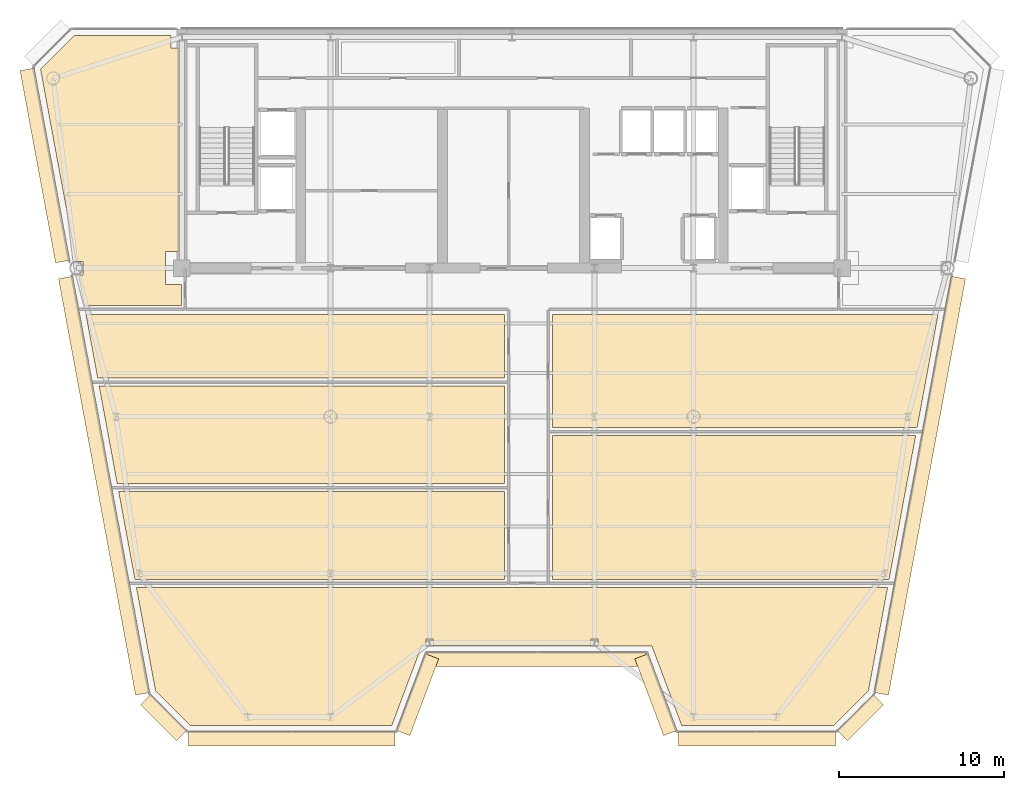
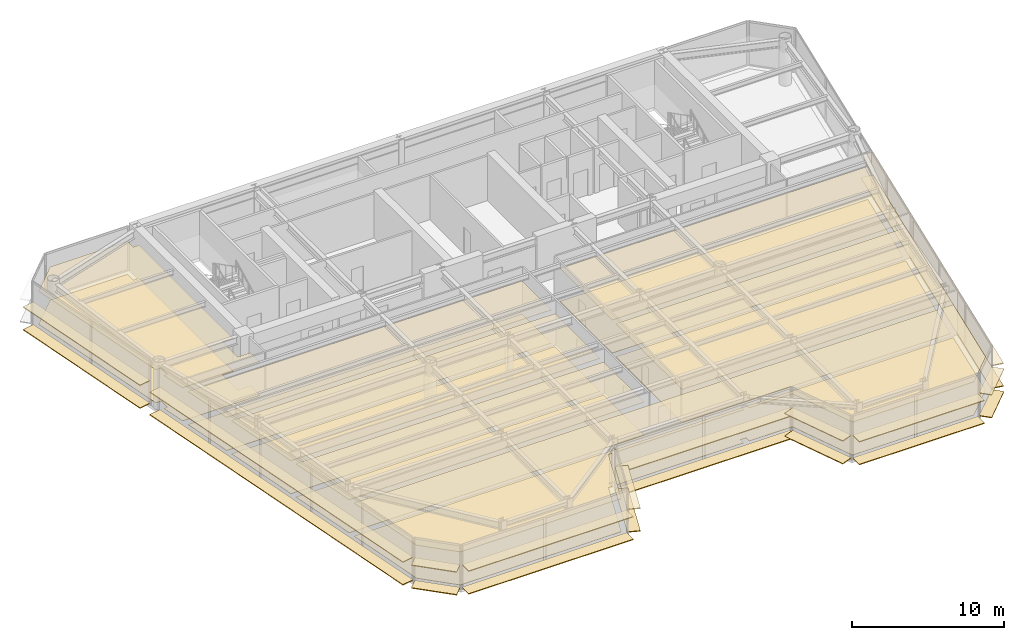
# One storey, part 13 of 16: 34 coverings.
"""IFC4 building model written with IfcOpenShell, lengths in metres."""

from ifc_helpers import new_model, si_unit, direction, frame, origin, origin_2d, place, context, subcontext, project, spatial, polyline, rectangle, outline, extrude, source, transform, mapped, material, layer, layer_set, type_object, element, save


model = new_model("IFC4")

# Units and contexts
model_context = context("Model", 3, precision=1e-05, world=origin(), true_north=direction((0.0, 1.0)))
body_context = subcontext(model_context, "Body", "Model", "MODEL_VIEW")
ifc_project = project(units=[si_unit("LENGTHUNIT", "METRE"), si_unit("AREAUNIT", "SQUARE_METRE"), si_unit("VOLUMEUNIT", "CUBIC_METRE"), si_unit("PLANEANGLEUNIT", "RADIAN"), si_unit("MASSUNIT", "GRAM", prefix="KILO")], contexts=[model_context])

# Site, building, storey
site_placement = place(None, origin())
site = spatial("IfcSite", under=ifc_project, at=site_placement, CompositionType="ELEMENT")
building_placement = place(site_placement, origin())
building = spatial("IfcBuilding", under=site, at=building_placement, Name="Vaeldorn Concourse Tower", CompositionType="ELEMENT")
storey_placement = place(building_placement, frame((0.0, 0.0, 223.199951171875)))
storey = spatial("IfcBuildingStorey", under=building, at=storey_placement, Name="L57", CompositionType="ELEMENT", Elevation=223.199951171875)

# Coverings
ifc_material_1 = material(Name="Acoustic Mineral Fibre Board", Category="gypsum")
ifc_layer_1 = layer(ifc_material_1, 0.0400390625)
ifc_layer_set_1 = layer_set([ifc_layer_1], Name="Acoustic Mineral Fibre Board")
covering_type_1 = type_object("IfcCoveringType", Name="COV-CEIL-ACOUSTIC", PredefinedType="CEILING", material=ifc_layer_set_1)
covering_1_placement = place(storey_placement, frame((0.0, 0.0, 2.650146484375)))
element("IfcCovering", 1, at=covering_1_placement, inside=storey, type_object=covering_type_1, Name="Suspended Acoustic Ceiling L57-3", PredefinedType="CEILING", context=body_context, shape_type="SweptSolid", body=[
    extrude(outline(polyline([(7.4658203125, 50.60009765625), (13.340087890625, 50.60009765625), (13.340087890625, 49.840087890625), (13.820068359375, 49.840087890625), (13.820068359375, 37.5), (13.0, 37.5), (13.0, 35.5), (13.9599609375, 35.5), (13.9599609375, 34.239990234375), (8.08154296875, 34.239990234375), (7.73876953125, 36.093505859375), (8.006591796875, 36.093505859375), (8.006591796875, 36.906494140625), (7.58837890625, 36.906494140625), (5.431640625, 48.56591796875), (7.4658203125, 50.60009765625)])), origin(), (0.0, 0.0, 1.0), 0.039794921875),
])
covering_2_placement = place(storey_placement, frame((0.0, 0.0, 2.650146484375)))
element("IfcCovering", 2, at=covering_2_placement, inside=storey, type_object=covering_type_1, Name="Suspended Acoustic Ceiling L57-5", PredefinedType="CEILING", context=body_context, shape_type="SweptSolid", body=[
    extrude(outline(polyline([(33.56005859375, 22.9599609375), (33.56005859375, 17.639892578125), (11.152099609375, 17.639892578125), (10.16796875, 22.9599609375), (33.56005859375, 22.9599609375)])), origin(), (0.0, 0.0, 1.0), 0.039794921875),
])
covering_3_placement = place(storey_placement, frame((0.0, 0.0, 2.650146484375)))
element("IfcCovering", 3, at=covering_3_placement, inside=storey, type_object=covering_type_1, Name="Suspended Acoustic Ceiling L57-6", PredefinedType="CEILING", context=body_context, shape_type="SweptSolid", body=[
    extrude(outline(polyline([(33.56005859375, 29.360107421875), (33.56005859375, 23.43994140625), (10.079345703125, 23.43994140625), (8.984130859375, 29.360107421875), (33.56005859375, 29.360107421875)])), origin(), (0.0, 0.0, 1.0), 0.039794921875),
])
covering_4_placement = place(storey_placement, frame((0.0, 0.0, 2.650146484375)))
element("IfcCovering", 4, at=covering_4_placement, inside=storey, type_object=covering_type_1, Name="Suspended Acoustic Ceiling L57-7", PredefinedType="CEILING", context=body_context, shape_type="SweptSolid", body=[
    extrude(outline(polyline([(33.56005859375, 33.699951171875), (33.56005859375, 29.840087890625), (8.8955078125, 29.840087890625), (8.181396484375, 33.699951171875), (33.56005859375, 33.699951171875)])), origin(), (0.0, 0.0, 1.0), 0.039794921875),
])
covering_5_placement = place(storey_placement, frame((0.0, 0.0, 2.650146484375)))
element("IfcCovering", 5, at=covering_5_placement, inside=storey, type_object=covering_type_1, Name="Suspended Acoustic Ceiling L57-8", PredefinedType="CEILING", context=body_context, shape_type="SweptSolid", body=[
    extrude(outline(polyline([(36.43994140625, 26.360107421875), (58.4609375, 26.360107421875), (56.973876953125, 18.321044921875), (56.847900390625, 17.639892578125), (36.43994140625, 17.639892578125), (36.43994140625, 26.360107421875)])), origin(), (0.0, 0.0, 1.0), 0.039794921875),
])
covering_6_placement = place(storey_placement, frame((0.0, 0.0, 2.650146484375)))
element("IfcCovering", 6, at=covering_6_placement, inside=storey, type_object=covering_type_1, Name="Suspended Acoustic Ceiling L57-9", PredefinedType="CEILING", context=body_context, shape_type="SweptSolid", body=[
    extrude(outline(polyline([(36.43994140625, 26.840087890625), (36.43994140625, 33.699951171875), (59.818603515625, 33.699951171875), (58.549560546875, 26.840087890625), (36.43994140625, 26.840087890625)])), origin(), (0.0, 0.0, 1.0), 0.039794921875),
])
covering_7_placement = place(storey_placement, frame((0.0, 0.0, 2.650146484375)))
element("IfcCovering", 7, at=covering_7_placement, inside=storey, type_object=covering_type_1, Name="Suspended Acoustic Ceiling L57-10", PredefinedType="CEILING", context=body_context, shape_type="SweptSolid", body=[
    extrude(outline(polyline([(56.75927734375, 17.159912109375), (55.600341796875, 10.89501953125), (53.50537109375, 8.800048828125), (44.277099609375, 8.800048828125), (42.477294921875, 13.60009765625), (39.2060546875, 13.60009765625), (39.2060546875, 14.017578125), (38.7939453125, 14.017578125), (38.7939453125, 13.60009765625), (29.2060546875, 13.60009765625), (29.2060546875, 14.017578125), (28.7939453125, 14.017578125), (28.7939453125, 13.60009765625), (28.522705078125, 13.60009765625), (26.722900390625, 8.800048828125), (14.49462890625, 8.800048828125), (12.399658203125, 10.89501953125), (11.24072265625, 17.159912109375), (56.75927734375, 17.159912109375)])), origin(), (0.0, 0.0, 1.0), 0.039794921875),
])
ifc_material_2 = material(Name="Honed Limestone Terrazzo Flooring", Category="masonry")
ifc_layer_2 = layer(ifc_material_2, 0.0400390625)
ifc_layer_set_2 = layer_set([ifc_layer_2], Name="Honed Limestone Terrazzo Flooring")
covering_type_2 = type_object("IfcCoveringType", Name="COV-FLOOR-STONE", PredefinedType="FLOORING", material=ifc_layer_set_2)
covering_8_placement = place(storey_placement, origin())
element("IfcCovering", 8, at=covering_8_placement, inside=storey, type_object=covering_type_2, Name="Floor Finish Covering L57-3", PredefinedType="FLOORING", context=body_context, shape_type="SweptSolid", body=[
    extrude(outline(polyline([(7.4658203125, 50.60009765625), (13.340087890625, 50.60009765625), (13.340087890625, 49.840087890625), (13.820068359375, 49.840087890625), (13.820068359375, 37.5), (13.0, 37.5), (13.0, 35.5), (13.9599609375, 35.5), (13.9599609375, 34.239990234375), (8.08154296875, 34.239990234375), (7.73876953125, 36.093505859375), (8.006591796875, 36.093505859375), (8.006591796875, 36.906494140625), (7.58837890625, 36.906494140625), (5.431640625, 48.56591796875), (7.4658203125, 50.60009765625)])), origin(), (0.0, 0.0, 1.0), 0.030029296875),
])
covering_9_placement = place(storey_placement, origin())
element("IfcCovering", 9, at=covering_9_placement, inside=storey, type_object=covering_type_2, Name="Floor Finish Covering L57-5", PredefinedType="FLOORING", context=body_context, shape_type="SweptSolid", body=[
    extrude(outline(polyline([(33.56005859375, 22.9599609375), (33.56005859375, 17.639892578125), (11.152099609375, 17.639892578125), (10.16796875, 22.9599609375), (33.56005859375, 22.9599609375)])), origin(), (0.0, 0.0, 1.0), 0.030029296875),
])
covering_10_placement = place(storey_placement, origin())
element("IfcCovering", 10, at=covering_10_placement, inside=storey, type_object=covering_type_2, Name="Floor Finish Covering L57-6", PredefinedType="FLOORING", context=body_context, shape_type="SweptSolid", body=[
    extrude(outline(polyline([(33.56005859375, 29.360107421875), (33.56005859375, 23.43994140625), (10.079345703125, 23.43994140625), (8.984130859375, 29.360107421875), (33.56005859375, 29.360107421875)])), origin(), (0.0, 0.0, 1.0), 0.030029296875),
])
covering_11_placement = place(storey_placement, origin())
element("IfcCovering", 11, at=covering_11_placement, inside=storey, type_object=covering_type_2, Name="Floor Finish Covering L57-7", PredefinedType="FLOORING", context=body_context, shape_type="SweptSolid", body=[
    extrude(outline(polyline([(33.56005859375, 33.699951171875), (33.56005859375, 29.840087890625), (8.8955078125, 29.840087890625), (8.181396484375, 33.699951171875), (33.56005859375, 33.699951171875)])), origin(), (0.0, 0.0, 1.0), 0.030029296875),
])
covering_12_placement = place(storey_placement, origin())
element("IfcCovering", 12, at=covering_12_placement, inside=storey, type_object=covering_type_2, Name="Floor Finish Covering L57-8", PredefinedType="FLOORING", context=body_context, shape_type="SweptSolid", body=[
    extrude(outline(polyline([(36.43994140625, 26.360107421875), (58.4609375, 26.360107421875), (56.973876953125, 18.321044921875), (56.847900390625, 17.639892578125), (36.43994140625, 17.639892578125), (36.43994140625, 26.360107421875)])), origin(), (0.0, 0.0, 1.0), 0.030029296875),
])
covering_13_placement = place(storey_placement, origin())
element("IfcCovering", 13, at=covering_13_placement, inside=storey, type_object=covering_type_2, Name="Floor Finish Covering L57-9", PredefinedType="FLOORING", context=body_context, shape_type="SweptSolid", body=[
    extrude(outline(polyline([(36.43994140625, 26.840087890625), (36.43994140625, 33.699951171875), (59.818603515625, 33.699951171875), (58.549560546875, 26.840087890625), (36.43994140625, 26.840087890625)])), origin(), (0.0, 0.0, 1.0), 0.030029296875),
])
covering_14_placement = place(storey_placement, origin())
element("IfcCovering", 14, at=covering_14_placement, inside=storey, type_object=covering_type_2, Name="Floor Finish Covering L57-10", PredefinedType="FLOORING", context=body_context, shape_type="SweptSolid", body=[
    extrude(outline(polyline([(56.75927734375, 17.159912109375), (55.600341796875, 10.89501953125), (53.50537109375, 8.800048828125), (44.277099609375, 8.800048828125), (42.477294921875, 13.60009765625), (39.2060546875, 13.60009765625), (39.2060546875, 14.017578125), (38.7939453125, 14.017578125), (38.7939453125, 13.60009765625), (29.2060546875, 13.60009765625), (29.2060546875, 14.017578125), (28.7939453125, 14.017578125), (28.7939453125, 13.60009765625), (28.522705078125, 13.60009765625), (26.722900390625, 8.800048828125), (14.49462890625, 8.800048828125), (12.399658203125, 10.89501953125), (11.24072265625, 17.159912109375), (56.75927734375, 17.159912109375)])), origin(), (0.0, 0.0, 1.0), 0.030029296875),
])
ifc_material_3 = material(Name="Anodised Bronze Aluminium", Category="aluminium")
ifc_layer_3 = layer(ifc_material_3, 0.06494140625)
ifc_layer_set_3 = layer_set([ifc_layer_3], Name="Anodised Bronze Aluminium")
covering_type_3 = type_object("IfcCoveringType", Name="SD-BRONZE-SUNSHADE", PredefinedType="USERDEFINED", material=ifc_layer_set_3)
shared_shape_1 = source(origin(), body_context, "Body", "SweptSolid", [
    extrude(rectangle(XDim=4.96630859375, YDim=0.8798828125, at=origin_2d()), origin(), (0.0, 0.0, 1.0), 0.06494140625),
])
for number, where, z_axis, x_axis, name in (
    (15, (28.2744140625, 10.65966796875, 0.047607421875), (0.0, 0.0, 1.0), (0.351122702609, 0.936329454686, 0.0), "Horizontal Bronze Sunshade L57-E02.1.1"),
    (16, (28.2744140625, 10.65966796875, 1.86767578125), (0.0, 0.0, 1.0), (0.351122702609, 0.936329454686, 0.0), "Horizontal Bronze Sunshade L57-E02.1.2"),
    (17, (42.7255859375, 10.65966796875, 0.047607421875), (0.0, 0.0, 1.0), (0.351122702609, -0.936329454686, 0.0), "Horizontal Bronze Sunshade L57-E04.1.1"),
    (18, (42.7255859375, 10.65966796875, 1.86767578125), (0.0, 0.0, 1.0), (0.351122702609, -0.936329454686, 0.0), "Horizontal Bronze Sunshade L57-E04.1.2"),
):
    element("IfcCovering", number, at=place(storey_placement, frame(where, z_axis=z_axis, x_axis=x_axis)), inside=storey, type_object=covering_type_3, Name=name, ObjectType="SUNSHADE", PredefinedType="USERDEFINED", context=body_context, shape_type="MappedRepresentation", body=[
        mapped(shared_shape_1, transform((0.0, 0.0, 0.0), scale=1.0)),
    ])
shared_shape_2 = source(origin(), body_context, "Body", "SweptSolid", [
    extrude(rectangle(XDim=13.239990234375, YDim=0.8798828125, at=origin_2d()), origin(), (0.0, 0.0, 1.0), 0.06494140625),
])
for number, where, z_axis, x_axis, name in (
    (19, (35.5, 12.800048828125, 0.047607421875), (0.0, 0.0, 1.0), (1.0, 0.0, 0.0), "Horizontal Bronze Sunshade L57-E03.1.1"),
    (20, (35.5, 12.800048828125, 1.86767578125), (0.0, 0.0, 1.0), (1.0, 0.0, 0.0), "Horizontal Bronze Sunshade L57-E03.1.2"),
):
    element("IfcCovering", number, at=place(storey_placement, frame(where, z_axis=z_axis, x_axis=x_axis)), inside=storey, type_object=covering_type_3, Name=name, ObjectType="SUNSHADE", PredefinedType="USERDEFINED", context=body_context, shape_type="MappedRepresentation", body=[
        mapped(shared_shape_2, transform((0.0, 0.0, 0.0), scale=1.0)),
    ])
shared_shape_3 = source(origin(), body_context, "Body", "SweptSolid", [
    extrude(rectangle(XDim=3.0927734375, YDim=0.8798828125, at=origin_2d()), origin(), (0.0, 0.0, 1.0), 0.06494140625),
])
for number, where, z_axis, x_axis, name in (
    (21, (55.103759765625, 9.26708984375, 0.047607421875), (0.0, 0.0, 1.0), (0.707106781187, 0.707106781187, 0.0), "Horizontal Bronze Sunshade L57-E06.1.1"),
    (22, (55.103759765625, 9.26708984375, 1.86767578125), (0.0, 0.0, 1.0), (0.707106781187, 0.707106781187, 0.0), "Horizontal Bronze Sunshade L57-E06.1.2"),
    (23, (12.896240234375, 9.26708984375, 0.047607421875), (0.0, 0.0, 1.0), (0.707106781187, -0.707106781187, 0.0), "Horizontal Bronze Sunshade L57-E12.1.1"),
    (24, (12.896240234375, 9.26708984375, 1.86767578125), (0.0, 0.0, 1.0), (0.707106781187, -0.707106781187, 0.0), "Horizontal Bronze Sunshade L57-E12.1.2"),
):
    element("IfcCovering", number, at=place(storey_placement, frame(where, z_axis=z_axis, x_axis=x_axis)), inside=storey, type_object=covering_type_3, Name=name, ObjectType="SUNSHADE", PredefinedType="USERDEFINED", context=body_context, shape_type="MappedRepresentation", body=[
        mapped(shared_shape_3, transform((0.0, 0.0, 0.0), scale=1.0)),
    ])
shared_shape_4 = source(origin(), body_context, "Body", "SweptSolid", [
    extrude(rectangle(XDim=25.654052734375, YDim=0.8798828125, at=origin_2d()), origin(), (0.0, 0.0, 1.0), 0.06494140625),
])
for number, where, z_axis, x_axis, name in (
    (25, (58.7119140625, 23.319091796875, 0.047607421875), (0.0, 0.0, 1.0), (0.181892293686, 0.983318459858, 0.0), "Horizontal Bronze Sunshade L57-E07.1.1"),
    (26, (58.7119140625, 23.319091796875, 1.86767578125), (0.0, 0.0, 1.0), (0.181892293686, 0.983318459858, 0.0), "Horizontal Bronze Sunshade L57-E07.1.2"),
    (27, (9.2880859375, 23.319091796875, 0.047607421875), (0.0, 0.0, 1.0), (0.181892293686, -0.983318459858, 0.0), "Horizontal Bronze Sunshade L57-E11.2.1"),
    (28, (9.2880859375, 23.319091796875, 1.86767578125), (0.0, 0.0, 1.0), (0.181892293686, -0.983318459858, 0.0), "Horizontal Bronze Sunshade L57-E11.2.2"),
):
    element("IfcCovering", number, at=place(storey_placement, frame(where, z_axis=z_axis, x_axis=x_axis)), inside=storey, type_object=covering_type_3, Name=name, ObjectType="SUNSHADE", PredefinedType="USERDEFINED", context=body_context, shape_type="MappedRepresentation", body=[
        mapped(shared_shape_4, transform((0.0, 0.0, 0.0), scale=1.0)),
    ])
shared_shape_5 = source(origin(), body_context, "Body", "SweptSolid", [
    extrude(rectangle(XDim=11.844482421875, YDim=0.8798828125, at=origin_2d()), origin(), (0.0, 0.0, 1.0), 0.06494140625),
])
for number, where, z_axis, x_axis, name in (
    (29, (5.698486328125, 42.72509765625, 0.047607421875), (0.0, 0.0, 1.0), (0.181892293686, -0.983318459858, 0.0), "Horizontal Bronze Sunshade L57-E11.1.1"),
    (30, (5.698486328125, 42.72509765625, 1.86767578125), (0.0, 0.0, 1.0), (0.181892293686, -0.983318459858, 0.0), "Horizontal Bronze Sunshade L57-E11.1.2"),
):
    element("IfcCovering", number, at=place(storey_placement, frame(where, z_axis=z_axis, x_axis=x_axis)), inside=storey, type_object=covering_type_3, Name=name, ObjectType="SUNSHADE", PredefinedType="USERDEFINED", context=body_context, shape_type="MappedRepresentation", body=[
        mapped(shared_shape_5, transform((0.0, 0.0, 0.0), scale=1.0)),
    ])
shared_shape_6 = source(origin(), body_context, "Body", "SweptSolid", [
    extrude(rectangle(XDim=12.510986328125, YDim=0.8798828125, at=origin_2d()), origin(), (0.0, 0.0, 1.0), 0.06494140625),
])
for number, where, z_axis, x_axis, name in (
    (31, (20.66455078125, 8.0, 0.047607421875), (0.0, 0.0, 1.0), (1.0, 0.0, 0.0), "Horizontal Bronze Sunshade L57-E01.1.1"),
    (32, (20.66455078125, 8.0, 1.86767578125), (0.0, 0.0, 1.0), (1.0, 0.0, 0.0), "Horizontal Bronze Sunshade L57-E01.1.2"),
):
    element("IfcCovering", number, at=place(storey_placement, frame(where, z_axis=z_axis, x_axis=x_axis)), inside=storey, type_object=covering_type_3, Name=name, ObjectType="SUNSHADE", PredefinedType="USERDEFINED", context=body_context, shape_type="MappedRepresentation", body=[
        mapped(shared_shape_6, transform((0.0, 0.0, 0.0), scale=1.0)),
    ])
shared_shape_7 = source(origin(), body_context, "Body", "SweptSolid", [
    extrude(rectangle(XDim=9.510986328125, YDim=0.8798828125, at=origin_2d()), origin(), (0.0, 0.0, 1.0), 0.06494140625),
])
for number, where, z_axis, x_axis, name in (
    (33, (48.83544921875, 8.0, 0.047607421875), (0.0, 0.0, 1.0), (1.0, 0.0, 0.0), "Horizontal Bronze Sunshade L57-E05.1.1"),
    (34, (48.83544921875, 8.0, 1.86767578125), (0.0, 0.0, 1.0), (1.0, 0.0, 0.0), "Horizontal Bronze Sunshade L57-E05.1.2"),
):
    element("IfcCovering", number, at=place(storey_placement, frame(where, z_axis=z_axis, x_axis=x_axis)), inside=storey, type_object=covering_type_3, Name=name, ObjectType="SUNSHADE", PredefinedType="USERDEFINED", context=body_context, shape_type="MappedRepresentation", body=[
        mapped(shared_shape_7, transform((0.0, 0.0, 0.0), scale=1.0)),
    ])

save(model, "model.ifc")
